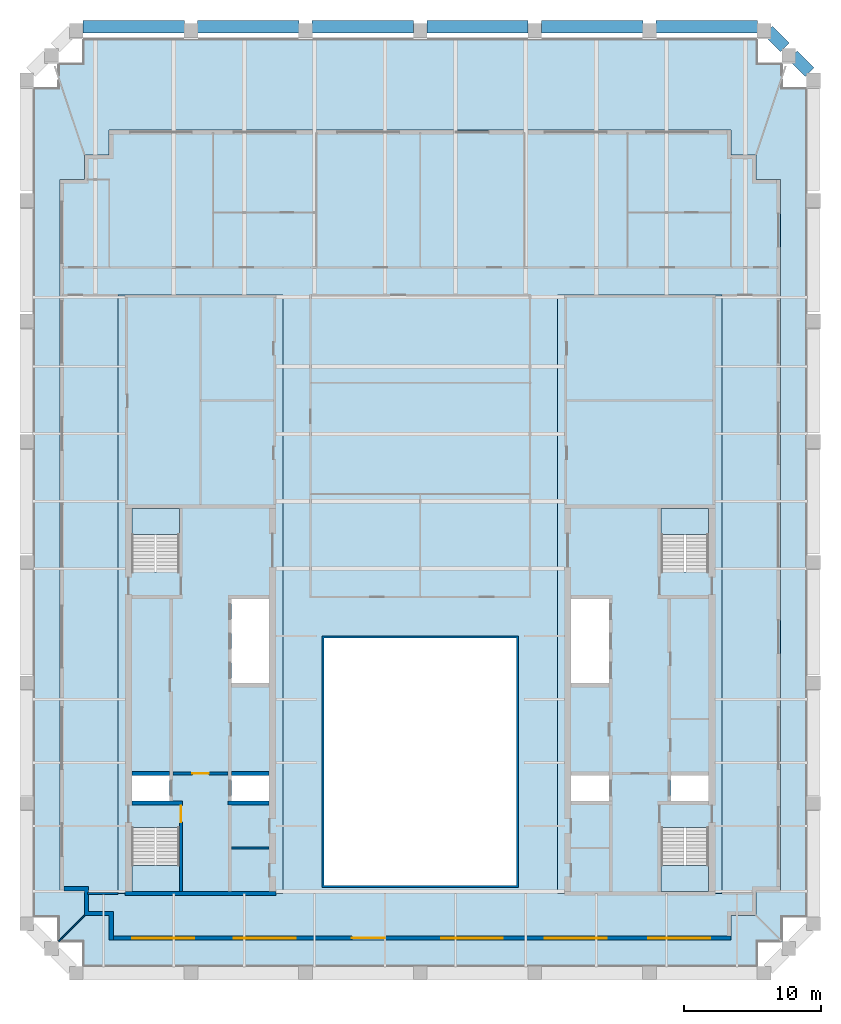
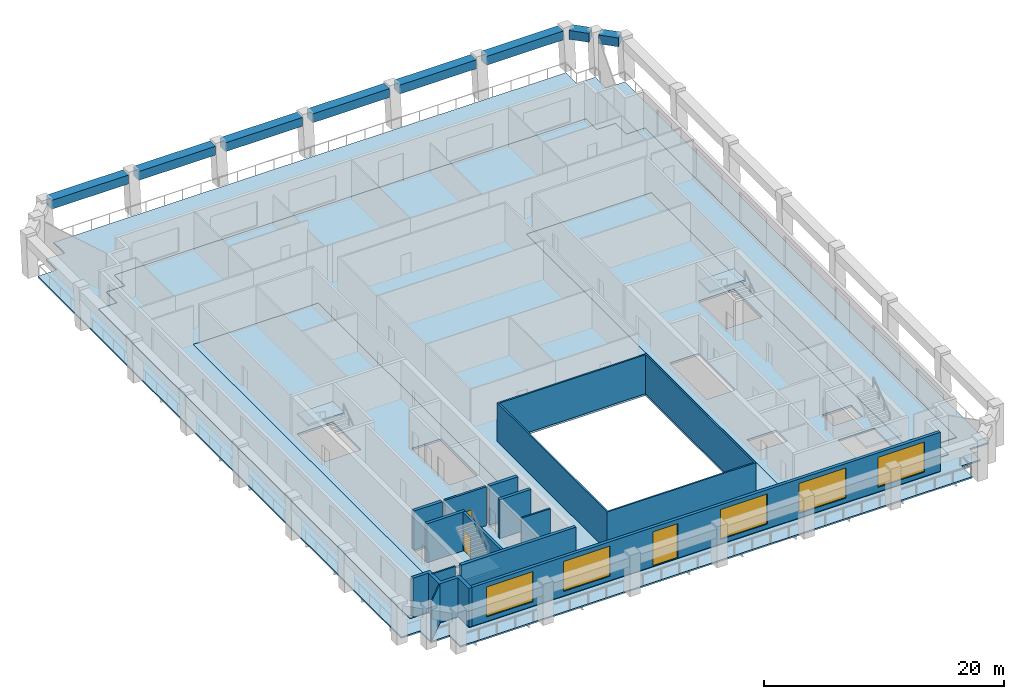
# One storey, part 2 of 9: 13 walls, 8 beams, 8 slabs, 5 windows, 3 doors, 8 openings, 4 elements without a shape of their own.
"""IFC4 building model written with IfcOpenShell, lengths in metres."""

from ifc_helpers import new_model, si_unit, direction, frame, frame_2d, origin, origin_2d, place, context, subcontext, project, spatial, polyline, rectangle, outline, extrude, material, layer, layer_set, material_profile, profile_set, type_object, element, fill, aggregate, save


model = new_model("IFC4")

# Units and contexts
model_context = context("Model", 3, precision=1e-05, world=origin(), true_north=direction((0.0, 1.0)))
body_context = subcontext(model_context, "Body", "Model", "MODEL_VIEW")
ifc_project = project(units=[si_unit("LENGTHUNIT", "METRE"), si_unit("AREAUNIT", "SQUARE_METRE"), si_unit("VOLUMEUNIT", "CUBIC_METRE"), si_unit("PLANEANGLEUNIT", "RADIAN"), si_unit("MASSUNIT", "GRAM", prefix="KILO")], contexts=[model_context])

# Site, building, storey
site_placement = place(None, origin())
site = spatial("IfcSite", under=ifc_project, at=site_placement, CompositionType="ELEMENT")
building_placement = place(site_placement, origin())
building = spatial("IfcBuilding", under=site, at=building_placement, Name="Ogive Exchange Tower", CompositionType="ELEMENT")
storey_placement = place(building_placement, frame((0.0, 0.0, 355.199951171875)))
storey = spatial("IfcBuildingStorey", under=building, at=storey_placement, Name="L78", CompositionType="ELEMENT", Elevation=355.199951171875)

# Beams
ifc_material_1 = material(Name="Precast concrete C70/85 (limestone faced)", Category="masonry")
ifc_material_profile = material_profile(ifc_material_1, rectangle(XDim=0.89990234375, YDim=0.89990234375, at=origin_2d()), Name="900 x 900")
ifc_profile_set = profile_set([ifc_material_profile], Name="Precast concrete C70/85 (limestone faced)")
beam_type = type_object("IfcBeamType", Name="Precast spandrel 900 x 900 C70/85", PredefinedType="SPANDREL", material=ifc_profile_set)
for number, where, z_axis, x_axis, name in (
    (1, (28.362060546875, 57.215087890625, 3.5), (-0.707036271462, 0.707177283881, 0.0), (-0.707177283881, -0.707036271462, 0.0), "Spandrel 16"),
    (2, (26.56201171875, 59.01513671875, 3.5), (-0.707036271462, 0.707177283881, 0.0), (-0.707177283881, -0.707036271462, 0.0), "Spandrel 17"),
):
    element("IfcBeam", number, at=place(storey_placement, frame(where, z_axis=z_axis, x_axis=x_axis)), inside=storey, type_object=beam_type, Name=name, PredefinedType="SPANDREL", context=body_context, shape_type="SweptSolid", body=[
        extrude(rectangle(XDim=0.89990234375, YDim=0.89990234375, at=origin_2d()), origin(), (0.0, 0.0, 1.0), 1.7314453125),
    ])
beam_1_placement = place(storey_placement, frame((24.570068359375, 60.52734375, 3.5), z_axis=(-1.0, 0.0, 0.0), x_axis=(0.0, -1.0, 0.0)))
element("IfcBeam", 3, at=beam_1_placement, inside=storey, type_object=beam_type, Name="Spandrel 18", PredefinedType="SPANDREL", context=body_context, shape_type="SweptSolid", body=[
    extrude(rectangle(XDim=0.89990234375, YDim=0.89990234375, at=origin_2d()), origin(), (0.0, 0.0, 1.0), 7.39013671875),
])
beam_2_placement = place(storey_placement, frame((16.219970703125, 60.52734375, 3.5), z_axis=(-1.0, 0.0, 0.0), x_axis=(0.0, -1.0, 0.0)))
element("IfcBeam", 4, at=beam_2_placement, inside=storey, type_object=beam_type, Name="Spandrel 19", PredefinedType="SPANDREL", context=body_context, shape_type="SweptSolid", body=[
    extrude(rectangle(XDim=0.89990234375, YDim=0.89990234375, at=origin_2d()), origin(), (0.0, 0.0, 1.0), 7.389892578125),
])
for number, where, z_axis, x_axis, name in (
    (5, (7.8701171875, 60.52734375, 3.5), (-1.0, 0.0, 0.0), (0.0, -1.0, 0.0), "Spandrel 20"),
    (6, (-0.47998046875, 60.52734375, 3.5), (-1.0, 0.0, 0.0), (0.0, -1.0, 0.0), "Spandrel 21"),
):
    element("IfcBeam", number, at=place(storey_placement, frame(where, z_axis=z_axis, x_axis=x_axis)), inside=storey, type_object=beam_type, Name=name, PredefinedType="SPANDREL", context=body_context, shape_type="SweptSolid", body=[
        extrude(rectangle(XDim=0.89990234375, YDim=0.89990234375, at=origin_2d()), origin(), (0.0, 0.0, 1.0), 7.39013671875),
    ])
beam_3_placement = place(storey_placement, frame((-8.830078125, 60.52734375, 3.5), z_axis=(-1.0, 0.0, 0.0), x_axis=(0.0, -1.0, 0.0)))
element("IfcBeam", 7, at=beam_3_placement, inside=storey, type_object=beam_type, Name="Spandrel 22", PredefinedType="SPANDREL", context=body_context, shape_type="SweptSolid", body=[
    extrude(rectangle(XDim=0.89990234375, YDim=0.89990234375, at=origin_2d()), origin(), (0.0, 0.0, 1.0), 7.389892578125),
])
beam_4_placement = place(storey_placement, frame((-17.179931640625, 60.52734375, 3.5), z_axis=(-1.0, 0.0, 0.0), x_axis=(0.0, -1.0, 0.0)))
element("IfcBeam", 8, at=beam_4_placement, inside=storey, type_object=beam_type, Name="Spandrel 23", PredefinedType="SPANDREL", context=body_context, shape_type="SweptSolid", body=[
    extrude(rectangle(XDim=0.89990234375, YDim=0.89990234375, at=origin_2d()), origin(), (0.0, 0.0, 1.0), 7.39013671875),
])

# Slabs
ifc_material_2 = material(Name="Concrete C50/60", Category="concrete")
ifc_layer_1 = layer(ifc_material_2, 0.199951171875)
ifc_layer_set_1 = layer_set([ifc_layer_1], Name="Composite floor slab 200")
slab_type_1 = type_object("IfcSlabType", Name="Composite floor slab 200", PredefinedType="FLOOR", material=ifc_layer_set_1)
slab_1_placement = place(storey_placement, frame((0.0, 0.0, -0.199951171875)))
element("IfcSlab", 9, at=slab_1_placement, inside=storey, type_object=slab_type_1, Name="Composite floor slab", PredefinedType="FLOOR", context=body_context, shape_type="SweptSolid", body=[
    extrude(outline(polyline([(-22.64990234375, -4.199951171875), (-24.449951171875, -4.199951171875), (-24.449951171875, -2.39990234375), (-26.25, -2.39990234375), (-26.25, 49.39990234375), (-24.449951171875, 49.39990234375), (-24.449951171875, 51.199951171875), (-22.64990234375, 51.199951171875), (-22.64990234375, 53.0), (22.64990234375, 53.0), (22.64990234375, 51.199951171875), (24.449951171875, 51.199951171875), (24.449951171875, 49.39990234375), (26.25, 49.39990234375), (26.25, -2.39990234375), (24.449951171875, -2.39990234375), (24.449951171875, -4.199951171875), (22.64990234375, -4.199951171875), (22.64990234375, -6.0), (-22.64990234375, -6.0), (-22.64990234375, -4.199951171875)]), holes=[polyline([(7.0, -2.0), (7.0, 16.0), (-7.0, 16.0), (-7.0, -2.0), (7.0, -2.0)]), polyline([(-22.0, -2.60009765625), (-10.0, -2.60009765625), (-10.0, 41.0), (-22.0, 41.0), (-22.0, -2.60009765625)]), polyline([(10.0, -2.60009765625), (22.0, -2.60009765625), (22.0, 41.0), (10.0, 41.0), (10.0, -2.60009765625)])]), origin(), (0.0, 0.0, 1.0), 0.199951171875),
])
ifc_material_3 = material(Name="Concrete C70/85", Category="concrete")
ifc_layer_2 = layer(ifc_material_3, 0.199951171875)
ifc_layer_set_2 = layer_set([ifc_layer_2], Name="Core floor slab 200")
slab_type_2 = type_object("IfcSlabType", Name="Core floor slab 200", PredefinedType="FLOOR", material=ifc_layer_set_2)
slab_2_placement = place(storey_placement, frame((0.0, 0.0, -0.199951171875)))
element("IfcSlab", 10, at=slab_2_placement, inside=storey, type_object=slab_type_2, Name="Core floor slab", PredefinedType="FLOOR", context=body_context, shape_type="SweptSolid", body=[
    extrude(outline(polyline([(-22.0, -2.60009765625), (-22.0, 41.0), (-10.0, 41.0), (-10.0, -2.60009765625), (-22.0, -2.60009765625)]), holes=[polyline([(-17.550048828125, 2.196044921875), (-21.0, 2.196044921875), (-21.0, -2.449951171875), (-17.550048828125, -2.449951171875), (-17.550048828125, 2.196044921875)]), polyline([(-21.0, 5.992919921875), (-21.0, 4.14990234375), (-18.25, 4.14990234375), (-18.25, 5.992919921875), (-21.0, 5.992919921875)]), polyline([(-13.75, 5.992919921875), (-13.75, 4.14990234375), (-11.0, 4.14990234375), (-11.0, 5.992919921875), (-13.75, 5.992919921875)]), polyline([(-11.0, 18.85009765625), (-13.75, 18.85009765625), (-13.75, 12.721435546875), (-11.0, 12.721435546875), (-11.0, 18.85009765625)]), polyline([(-21.0, 25.449951171875), (-21.0, 20.803955078125), (-17.550048828125, 20.803955078125), (-17.550048828125, 25.449951171875), (-21.0, 25.449951171875)])]), origin(), (0.0, 0.0, 1.0), 0.199951171875),
])
slab_3_placement = place(storey_placement, frame((0.0, 0.0, -0.199951171875)))
element("IfcSlab", 11, at=slab_3_placement, inside=storey, type_object=slab_type_2, Name="Core floor slab", PredefinedType="FLOOR", context=body_context, shape_type="SweptSolid", body=[
    extrude(outline(polyline([(10.0, -2.60009765625), (10.0, 41.0), (22.0, 41.0), (22.0, -2.60009765625), (10.0, -2.60009765625)]), holes=[polyline([(21.0, 2.196044921875), (17.550048828125, 2.196044921875), (17.550048828125, -2.449951171875), (21.0, -2.449951171875), (21.0, 2.196044921875)]), polyline([(11.0, 5.992919921875), (11.0, 4.14990234375), (13.75, 4.14990234375), (13.75, 5.992919921875), (11.0, 5.992919921875)]), polyline([(18.25, 5.992919921875), (18.25, 4.14990234375), (21.0, 4.14990234375), (21.0, 5.992919921875), (18.25, 5.992919921875)]), polyline([(13.75, 18.85009765625), (11.0, 18.85009765625), (11.0, 12.721435546875), (13.75, 12.721435546875), (13.75, 18.85009765625)]), polyline([(17.550048828125, 25.449951171875), (17.550048828125, 20.803955078125), (21.0, 20.803955078125), (21.0, 25.449951171875), (17.550048828125, 25.449951171875)])]), origin(), (0.0, 0.0, 1.0), 0.199951171875),
])
ifc_layer_3 = layer(ifc_material_2, 0.14990234375)
ifc_layer_set_3 = layer_set([ifc_layer_3], Name="Loggia deck 150")
slab_type_3 = type_object("IfcSlabType", Name="Loggia deck 150", PredefinedType="FLOOR", material=ifc_layer_set_3)
slab_4_placement = place(storey_placement, frame((0.0, 0.0, -0.199951171875)))
element("IfcSlab", 12, at=slab_4_placement, inside=storey, type_object=slab_type_3, Name="Loggia deck", PredefinedType="FLOOR", context=body_context, shape_type="SweptSolid", body=[
    extrude(outline(polyline([(-24.60009765625, -6.14990234375), (-26.39990234375, -6.14990234375), (-26.39990234375, -4.35009765625), (-28.199951171875, -4.35009765625), (-28.199951171875, 56.095458984375), (-26.39990234375, 56.095458984375), (-26.39990234375, 57.8955078125), (-24.60009765625, 57.8955078125), (-24.60009765625, 59.695556640625), (24.60009765625, 59.695556640625), (24.60009765625, 57.8955078125), (26.39990234375, 57.8955078125), (26.39990234375, 56.095458984375), (28.199951171875, 56.095458984375), (28.199951171875, -4.35009765625), (26.39990234375, -4.35009765625), (26.39990234375, -6.14990234375), (24.60009765625, -6.14990234375), (24.60009765625, -7.949951171875), (-24.60009765625, -7.949951171875), (-24.60009765625, -6.14990234375)]), holes=[polyline([(22.64990234375, -4.199951171875), (24.449951171875, -4.199951171875), (24.449951171875, -2.39990234375), (26.25, -2.39990234375), (26.25, 49.39990234375), (24.449951171875, 49.39990234375), (24.449951171875, 51.199951171875), (22.64990234375, 51.199951171875), (22.64990234375, 53.0), (-22.64990234375, 53.0), (-22.64990234375, 51.199951171875), (-24.449951171875, 51.199951171875), (-24.449951171875, 49.39990234375), (-26.25, 49.39990234375), (-26.25, -2.39990234375), (-24.449951171875, -2.39990234375), (-24.449951171875, -4.199951171875), (-22.64990234375, -4.199951171875), (-22.64990234375, -6.0), (22.64990234375, -6.0), (22.64990234375, -4.199951171875)])]), origin(), (0.0, 0.0, 1.0), 0.14990234375),
])

# Stair, slab
ifc_material_4 = material(Name="Concrete C40/50", Category="concrete")
stair_type = type_object("IfcStairType", Name="Exit stair 1650 wide", PredefinedType="HALF_TURN_STAIR", material=ifc_material_4)
stair_1_placement = place(storey_placement, origin())
stair_1 = element("IfcStair", 13, at=stair_1_placement, inside=storey, type_object=stair_type, Name="L78 exit stair ST1", PredefinedType="HALF_TURN_STAIR")
ifc_layer_4 = layer(ifc_material_4, 0.199951171875)
ifc_layer_set_4 = layer_set([ifc_layer_4], Name="Stair landing 200 slab")
slab_type_4 = type_object("IfcSlabType", Name="Stair landing 200 slab", PredefinedType="LANDING", material=ifc_layer_set_4)
slab_5_placement = place(storey_placement, frame((0.0, 0.0, 1.900146484375)))
slab_5 = element("IfcSlab", 14, at=slab_5_placement, type_object=slab_type_4, Name="ST1 landing 1", PredefinedType="LANDING", context=body_context, shape_type="SweptSolid", body=[
    extrude(outline(polyline([(-21.0, -0.550048828125), (-21.0, -2.449951171875), (-17.550048828125, -2.449951171875), (-17.550048828125, -0.550048828125), (-21.0, -0.550048828125)])), origin(), (0.0, 0.0, 1.0), 0.199951171875),
])
aggregate(stair_1, [slab_5])

stair_2_placement = place(storey_placement, origin())
stair_2 = element("IfcStair", 15, at=stair_2_placement, inside=storey, type_object=stair_type, Name="L78 exit stair ST2", PredefinedType="HALF_TURN_STAIR")
slab_6_placement = place(storey_placement, frame((0.0, 0.0, 1.900146484375)))
slab_6 = element("IfcSlab", 16, at=slab_6_placement, type_object=slab_type_4, Name="ST2 landing 1", PredefinedType="LANDING", context=body_context, shape_type="SweptSolid", body=[
    extrude(outline(polyline([(-17.550048828125, 23.550048828125), (-17.550048828125, 25.449951171875), (-21.0, 25.449951171875), (-21.0, 23.550048828125), (-17.550048828125, 23.550048828125)])), origin(), (0.0, 0.0, 1.0), 0.199951171875),
])
aggregate(stair_2, [slab_6])

stair_3_placement = place(storey_placement, origin())
stair_3 = element("IfcStair", 17, at=stair_3_placement, inside=storey, type_object=stair_type, Name="L78 exit stair ST3", PredefinedType="HALF_TURN_STAIR")
slab_7_placement = place(storey_placement, frame((0.0, 0.0, 1.900146484375)))
slab_7 = element("IfcSlab", 18, at=slab_7_placement, type_object=slab_type_4, Name="ST3 landing 1", PredefinedType="LANDING", context=body_context, shape_type="SweptSolid", body=[
    extrude(outline(polyline([(17.550048828125, -0.550048828125), (17.550048828125, -2.449951171875), (21.0, -2.449951171875), (21.0, -0.550048828125), (17.550048828125, -0.550048828125)])), origin(), (0.0, 0.0, 1.0), 0.199951171875),
])
aggregate(stair_3, [slab_7])

stair_4_placement = place(storey_placement, origin())
stair_4 = element("IfcStair", 19, at=stair_4_placement, inside=storey, type_object=stair_type, Name="L78 exit stair ST4", PredefinedType="HALF_TURN_STAIR")
slab_8_placement = place(storey_placement, frame((0.0, 0.0, 1.900146484375)))
slab_8 = element("IfcSlab", 20, at=slab_8_placement, type_object=slab_type_4, Name="ST4 landing 1", PredefinedType="LANDING", context=body_context, shape_type="SweptSolid", body=[
    extrude(outline(polyline([(21.0, 23.550048828125), (21.0, 25.449951171875), (17.550048828125, 25.449951171875), (17.550048828125, 23.550048828125), (21.0, 23.550048828125)])), origin(), (0.0, 0.0, 1.0), 0.199951171875),
])
aggregate(stair_4, [slab_8])

# Walls
ifc_material_5 = material(Name="Gypsum board partition")
ifc_layer_5 = layer(ifc_material_5, 0.14990234375)
ifc_layer_set_5 = layer_set([ifc_layer_5], Name="Core room partition 150 gypsum")
wall_type_1 = type_object("IfcWallType", Name="Core room partition 150 gypsum", PredefinedType="PARTITIONING", material=ifc_layer_set_5)
wall_1_placement = place(storey_placement, frame((-13.75, 0.699951171875, 0.0), z_axis=(0.0, 0.0, 1.0), x_axis=(1.0, 0.0, 0.0)))
element("IfcWall", 21, at=wall_1_placement, inside=storey, type_object=wall_type_1, Name="W south room partition", PredefinedType="PARTITIONING", context=body_context, shape_type="SweptSolid", body=[
    extrude(rectangle(XDim=2.75, YDim=0.14990234375, at=frame_2d((1.375, 0.0))), origin(), (0.0, 0.0, 1.0), 3.949951171875),
])
ifc_material_6 = material(Name="Fire partition EI 60 150")
ifc_layer_6 = layer(ifc_material_6, 0.14990234375)
ifc_layer_set_6 = layer_set([ifc_layer_6], Name="Fire partition EI 60 150")
wall_type_2 = type_object("IfcWallType", Name="Fire partition EI 60 150", PredefinedType="PARTITIONING", material=ifc_layer_set_6)
wall_2_placement = place(storey_placement, frame((-24.25, -2.60009765625, 0.0), z_axis=(0.0, 0.0, 1.0), x_axis=(1.0, 0.0, 0.0)))
element("IfcWall", 22, at=wall_2_placement, inside=storey, type_object=wall_type_2, Name="L78-PWL-002", PredefinedType="PARTITIONING", context=body_context, shape_type="SweptSolid", body=[
    extrude(rectangle(XDim=2.25, YDim=0.14990234375, at=frame_2d((1.125, 0.0))), origin(), (0.0, 0.0, 1.0), 3.949951171875),
])
ifc_material_7 = material(Name="Fire-resisting glass in steel frame", Category="steel")
ifc_layer_7 = layer(ifc_material_7, 0.14990234375)
ifc_layer_set_7 = layer_set([ifc_layer_7], Name="Fire-rated glazed wall 150")
wall_type_3 = type_object("IfcWallType", Name="Fire-rated glazed wall 150", PredefinedType="STANDARD", material=ifc_layer_set_7)
wall_3_placement = place(storey_placement, origin())
element("IfcWall", 23, at=wall_3_placement, inside=storey, type_object=wall_type_3, Name="Nave enclosure wall", PredefinedType="STANDARD", context=body_context, shape_type="SweptSolid", body=[
    extrude(outline(polyline([(-7.14990234375, -2.14990234375), (7.14990234375, -2.14990234375), (7.14990234375, 16.14990234375), (-7.14990234375, 16.14990234375), (-7.14990234375, -2.14990234375)]), holes=[polyline([(-7.0, -2.0), (-7.0, 16.0), (7.0, 16.0), (7.0, -2.0), (-7.0, -2.0)])]), origin(), (0.0, 0.0, 1.0), 3.949951171875),
])

# Wall, openings, door, windows
ifc_material_8 = material(Name="Precast concrete C40/50", Category="concrete")
ifc_layer_8 = layer(ifc_material_8, 0.300048828125)
ifc_layer_set_8 = layer_set([ifc_layer_8], Name="Limestone-faced wall 300")
wall_type_4 = type_object("IfcWallType", Name="Limestone-faced wall 300", PredefinedType="STANDARD", material=ifc_layer_set_8)
wall_4_placement = place(storey_placement, frame((-22.35009765625, -5.85009765625, 0.0), z_axis=(0.0, 0.0, 1.0), x_axis=(1.0, 0.0, 0.0)))
wall_4 = element("IfcWall", 24, at=wall_4_placement, inside=storey, type_object=wall_type_4, Name="External wall S1", PredefinedType="STANDARD", context=body_context, shape_type="SweptSolid", body=[
    extrude(rectangle(XDim=45.0, YDim=0.300048828125, at=frame_2d((22.5, 0.0))), origin(), (0.0, 0.0, 1.0), 3.949951171875),
])
opening_1_placement = place(wall_4_placement, frame((1.375, 0.0, 0.449951171875)))
opening_1 = element("IfcOpeningElement", 25, at=opening_1_placement, cuts=wall_4, Name="Opening W1", PredefinedType="OPENING", context=body_context, shape_type="SweptSolid", body=[
    extrude(rectangle(XDim=4.5, YDim=3.050048828125, at=frame_2d((2.25, 1.52490234375))), frame((0.0, 0.159912109375, 0.0), z_axis=(0.0, -1.0, 0.0), x_axis=(1.0, 0.0, 0.0)), (0.0, 0.0, 1.0), 0.320068359375),
])
opening_2_placement = place(wall_4_placement, frame((8.77490234375, 0.0, 0.449951171875)))
opening_2 = element("IfcOpeningElement", 26, at=opening_2_placement, cuts=wall_4, Name="Opening W1", PredefinedType="OPENING", context=body_context, shape_type="SweptSolid", body=[
    extrude(rectangle(XDim=4.5, YDim=3.050048828125, at=frame_2d((2.25, 1.52490234375))), frame((0.0, 0.159912109375, 0.0), z_axis=(0.0, -1.0, 0.0), x_axis=(1.0, 0.0, 0.0)), (0.0, 0.0, 1.0), 0.320068359375),
])
opening_3_placement = place(wall_4_placement, frame((17.375, 0.0, 0.0)))
opening_3 = element("IfcOpeningElement", 27, at=opening_3_placement, cuts=wall_4, Name="Opening D1", PredefinedType="OPENING", context=body_context, shape_type="SweptSolid", body=[
    extrude(rectangle(XDim=2.39990234375, YDim=3.5, at=frame_2d((1.199951171875, 1.75))), frame((0.0, 0.159912109375, 0.0), z_axis=(0.0, -1.0, 0.0), x_axis=(1.0, 0.0, 0.0)), (0.0, 0.0, 1.0), 0.320068359375),
])
opening_4_placement = place(wall_4_placement, frame((23.875, 0.0, 0.449951171875)))
opening_4 = element("IfcOpeningElement", 28, at=opening_4_placement, cuts=wall_4, Name="Opening W1", PredefinedType="OPENING", context=body_context, shape_type="SweptSolid", body=[
    extrude(rectangle(XDim=4.5, YDim=3.050048828125, at=frame_2d((2.25, 1.52490234375))), frame((0.0, 0.159912109375, 0.0), z_axis=(0.0, -1.0, 0.0), x_axis=(1.0, 0.0, 0.0)), (0.0, 0.0, 1.0), 0.320068359375),
])
opening_5_placement = place(wall_4_placement, frame((31.425048828125, 0.0, 0.449951171875)))
opening_5 = element("IfcOpeningElement", 29, at=opening_5_placement, cuts=wall_4, Name="Opening W1", PredefinedType="OPENING", context=body_context, shape_type="SweptSolid", body=[
    extrude(rectangle(XDim=4.5, YDim=3.050048828125, at=frame_2d((2.25, 1.52490234375))), frame((0.0, 0.159912109375, 0.0), z_axis=(0.0, -1.0, 0.0), x_axis=(1.0, 0.0, 0.0)), (0.0, 0.0, 1.0), 0.320068359375),
])
opening_6_placement = place(wall_4_placement, frame((38.97509765625, 0.0, 0.449951171875)))
opening_6 = element("IfcOpeningElement", 30, at=opening_6_placement, cuts=wall_4, Name="Opening W1", PredefinedType="OPENING", context=body_context, shape_type="SweptSolid", body=[
    extrude(rectangle(XDim=4.5, YDim=3.050048828125, at=frame_2d((2.25, 1.52490234375))), frame((0.0, 0.159912109375, 0.0), z_axis=(0.0, -1.0, 0.0), x_axis=(1.0, 0.0, 0.0)), (0.0, 0.0, 1.0), 0.320068359375),
])
ifc_material_9 = material(Name="Clear glass in bronze frame", Category="glass")
door_type_1 = type_object("IfcDoorType", Name="Sliding loggia door 2400 x 3500", OperationType="DOUBLE_DOOR_SLIDING", PredefinedType="DOOR", material=ifc_material_9)
door_1_placement = place(opening_3_placement, origin())
door_1 = element("IfcDoor", 31, at=door_1_placement, inside=storey, type_object=door_type_1, Name="Loggia door S02", OperationType="DOUBLE_DOOR_SLIDING", OverallHeight=3.5, OverallWidth=2.39990234375, PredefinedType="DOOR", context=body_context, shape_type="SweptSolid", body=[
    extrude(rectangle(XDim=2.39990234375, YDim=3.5, at=frame_2d((1.199951171875, 1.75))), frame((0.0, 0.02490234375, 0.0), z_axis=(0.0, -1.0, 0.0), x_axis=(1.0, 0.0, 0.0)), (0.0, 0.0, 1.0), 0.050048828125),
])
fill(opening_3, door_1)
window_type = type_object("IfcWindowType", Name="Twin lancet window 4500 x 3050", PartitioningType="DOUBLE_PANEL_VERTICAL", PredefinedType="WINDOW", material=ifc_material_9)
window_1_placement = place(opening_1_placement, origin())
window_1 = element("IfcWindow", 32, at=window_1_placement, inside=storey, type_object=window_type, Name="Window S00", OverallHeight=3.050048828125, OverallWidth=4.5, PartitioningType="DOUBLE_PANEL_VERTICAL", PredefinedType="WINDOW", context=body_context, shape_type="SweptSolid", body=[
    extrude(rectangle(XDim=4.5, YDim=3.050048828125, at=frame_2d((2.25, 1.52490234375))), frame((0.0, 0.030029296875, 0.0), z_axis=(0.0, -1.0, 0.0), x_axis=(1.0, 0.0, 0.0)), (0.0, 0.0, 1.0), 0.06005859375),
])
fill(opening_1, window_1)
window_2_placement = place(opening_2_placement, origin())
window_2 = element("IfcWindow", 33, at=window_2_placement, inside=storey, type_object=window_type, Name="Window S01", OverallHeight=3.050048828125, OverallWidth=4.5, PartitioningType="DOUBLE_PANEL_VERTICAL", PredefinedType="WINDOW", context=body_context, shape_type="SweptSolid", body=[
    extrude(rectangle(XDim=4.5, YDim=3.050048828125, at=frame_2d((2.25, 1.52490234375))), frame((0.0, 0.030029296875, 0.0), z_axis=(0.0, -1.0, 0.0), x_axis=(1.0, 0.0, 0.0)), (0.0, 0.0, 1.0), 0.06005859375),
])
fill(opening_2, window_2)
window_3_placement = place(opening_4_placement, origin())
window_3 = element("IfcWindow", 34, at=window_3_placement, inside=storey, type_object=window_type, Name="Window S03", OverallHeight=3.050048828125, OverallWidth=4.5, PartitioningType="DOUBLE_PANEL_VERTICAL", PredefinedType="WINDOW", context=body_context, shape_type="SweptSolid", body=[
    extrude(rectangle(XDim=4.5, YDim=3.050048828125, at=frame_2d((2.25, 1.52490234375))), frame((0.0, 0.030029296875, 0.0), z_axis=(0.0, -1.0, 0.0), x_axis=(1.0, 0.0, 0.0)), (0.0, 0.0, 1.0), 0.06005859375),
])
fill(opening_4, window_3)
window_4_placement = place(opening_5_placement, origin())
window_4 = element("IfcWindow", 35, at=window_4_placement, inside=storey, type_object=window_type, Name="Window S04", OverallHeight=3.050048828125, OverallWidth=4.5, PartitioningType="DOUBLE_PANEL_VERTICAL", PredefinedType="WINDOW", context=body_context, shape_type="SweptSolid", body=[
    extrude(rectangle(XDim=4.5, YDim=3.050048828125, at=frame_2d((2.25, 1.52490234375))), frame((0.0, 0.030029296875, 0.0), z_axis=(0.0, -1.0, 0.0), x_axis=(1.0, 0.0, 0.0)), (0.0, 0.0, 1.0), 0.06005859375),
])
fill(opening_5, window_4)
window_5_placement = place(opening_6_placement, origin())
window_5 = element("IfcWindow", 36, at=window_5_placement, inside=storey, type_object=window_type, Name="Window S05", OverallHeight=3.050048828125, OverallWidth=4.5, PartitioningType="DOUBLE_PANEL_VERTICAL", PredefinedType="WINDOW", context=body_context, shape_type="SweptSolid", body=[
    extrude(rectangle(XDim=4.5, YDim=3.050048828125, at=frame_2d((2.25, 1.52490234375))), frame((0.0, 0.030029296875, 0.0), z_axis=(0.0, -1.0, 0.0), x_axis=(1.0, 0.0, 0.0)), (0.0, 0.0, 1.0), 0.06005859375),
])
fill(opening_6, window_5)

# Walls
wall_5_placement = place(storey_placement, origin())
element("IfcWall", 37, at=wall_5_placement, inside=storey, type_object=wall_type_4, Name="External corner wall C4", PredefinedType="STANDARD", context=body_context, shape_type="SweptSolid", body=[
    extrude(outline(polyline([(-22.64990234375, -4.199951171875), (-24.449951171875, -4.199951171875), (-24.449951171875, -2.39990234375), (-25.949951171875, -2.39990234375), (-25.949951171875, -2.10009765625), (-24.14990234375, -2.10009765625), (-24.14990234375, -3.89990234375), (-22.35009765625, -3.89990234375), (-22.35009765625, -6.0), (-22.64990234375, -6.0), (-22.64990234375, -4.199951171875)])), origin(), (0.0, 0.0, 1.0), 3.949951171875),
])
ifc_material_10 = material(Name="Laminated safety glass in steel frame", Category="steel")
ifc_layer_9 = layer(ifc_material_10, 0.10009765625)
ifc_layer_set_9 = layer_set([ifc_layer_9], Name="Loggia end screen 100")
wall_type_5 = type_object("IfcWallType", Name="Loggia end screen 100", PredefinedType="STANDARD", material=ifc_layer_set_9)
wall_6_placement = place(storey_placement, frame((-24.449951171875, -4.199951171875, -0.050048828125), z_axis=(0.0, 0.0, 1.0), x_axis=(-0.707106781187, -0.707106781187, 0.0)))
element("IfcWall", 38, at=wall_6_placement, inside=storey, type_object=wall_type_5, Name="Loggia end screen C4", PredefinedType="STANDARD", context=body_context, shape_type="SweptSolid", body=[
    extrude(rectangle(XDim=2.667236328125, YDim=0.10009765625, at=frame_2d((1.33349609375, 0.0))), origin(), (0.0, 0.0, 1.0), 4.0),
])

# Wall, opening, door
ifc_layer_10 = layer(ifc_material_3, 0.199951171875)
ifc_layer_set_10 = layer_set([ifc_layer_10], Name="RC core wall 200 C70/85")
wall_type_6 = type_object("IfcWallType", Name="RC core wall 200 C70/85", PredefinedType="SHEAR", material=ifc_layer_set_10)
wall_7_placement = place(storey_placement, frame((-18.0, 6.142822265625, 0.0), z_axis=(0.0, 0.0, 1.0), x_axis=(1.0, 0.0, 0.0)))
wall_7 = element("IfcWall", 39, at=wall_7_placement, inside=storey, type_object=wall_type_6, Name="W firefighting lobby wall", PredefinedType="SHEAR", context=body_context, shape_type="SweptSolid", body=[
    extrude(rectangle(XDim=4.0, YDim=0.199951171875, at=frame_2d((2.0, 0.0))), origin(), (0.0, 0.0, 1.0), 3.949951171875),
])
opening_7_placement = place(wall_7_placement, frame((1.39990234375, 0.0, 0.0)))
opening_7 = element("IfcOpeningElement", 40, at=opening_7_placement, cuts=wall_7, Name="Opening L78-C08", PredefinedType="OPENING", context=body_context, shape_type="SweptSolid", body=[
    extrude(rectangle(XDim=1.199951171875, YDim=2.10009765625, at=frame_2d((0.60009765625, 1.050048828125))), frame((0.0, 0.10986328125, 0.0), z_axis=(0.0, -1.0, 0.0), x_axis=(1.0, 0.0, 0.0)), (0.0, 0.0, 1.0), 0.219970703125),
])
ifc_material_11 = material(Name="Steel fire door", Category="steel")
door_type_2 = type_object("IfcDoorType", Name="Firefighting lobby door FD60 1200 x 2100", OperationType="NOTDEFINED", PredefinedType="DOOR", material=ifc_material_11)
door_2_placement = place(opening_7_placement, frame((1.199951171875, 0.0, 0.0), z_axis=(0.0, 0.0, 1.0), x_axis=(-1.0, 0.0, 0.0)))
door_2 = element("IfcDoor", 41, at=door_2_placement, inside=storey, type_object=door_type_2, Name="Firefighting lobby door", ObjectType="CD3", OperationType="SINGLE_SWING_LEFT", OverallHeight=2.10009765625, OverallWidth=1.199951171875, PredefinedType="DOOR", context=body_context, shape_type="SweptSolid", body=[
    extrude(rectangle(XDim=1.199951171875, YDim=2.10009765625, at=frame_2d((0.60009765625, 1.050048828125))), frame((0.0, 0.02490234375, 0.0), z_axis=(0.0, -1.0, 0.0), x_axis=(1.0, 0.0, 0.0)), (0.0, 0.0, 1.0), 0.050048828125),
])
fill(opening_7, door_2)

ifc_layer_11 = layer(ifc_material_3, 0.25)
ifc_layer_set_11 = layer_set([ifc_layer_11], Name="RC core wall 250 C70/85")
wall_type_7 = type_object("IfcWallType", Name="RC core wall 250 C70/85", PredefinedType="SHEAR", material=ifc_layer_set_11)
wall_8_placement = place(storey_placement, frame((-17.425048828125, -2.449951171875, 0.0), z_axis=(0.0, 0.0, 1.0), x_axis=(0.0, 1.0, 0.0)))
wall_8 = element("IfcWall", 42, at=wall_8_placement, inside=storey, type_object=wall_type_7, Name="W stair S front wall", PredefinedType="SHEAR", context=body_context, shape_type="SweptSolid", body=[
    extrude(rectangle(XDim=6.300048828125, YDim=0.25, at=frame_2d((3.14990234375, 0.0))), origin(), (0.0, 0.0, 1.0), 3.949951171875),
])
opening_8_placement = place(wall_8_placement, frame((5.050048828125, 0.0, 0.0)))
opening_8 = element("IfcOpeningElement", 43, at=opening_8_placement, cuts=wall_8, Name="Opening L78-C10", PredefinedType="OPENING", context=body_context, shape_type="SweptSolid", body=[
    extrude(rectangle(XDim=1.199951171875, YDim=2.10009765625, at=frame_2d((0.60009765625, 1.050048828125))), frame((0.0, 0.135009765625, 0.0), z_axis=(0.0, -1.0, 0.0), x_axis=(1.0, 0.0, 0.0)), (0.0, 0.0, 1.0), 0.27001953125),
])
door_type_3 = type_object("IfcDoorType", Name="Stair door FD90 1200 x 2100", OperationType="NOTDEFINED", PredefinedType="DOOR", material=ifc_material_11)
door_3_placement = place(opening_8_placement, origin())
door_3 = element("IfcDoor", 44, at=door_3_placement, inside=storey, type_object=door_type_3, Name="Stair door", ObjectType="CD5", OperationType="SINGLE_SWING_LEFT", OverallHeight=2.10009765625, OverallWidth=1.199951171875, PredefinedType="DOOR", context=body_context, shape_type="SweptSolid", body=[
    extrude(rectangle(XDim=1.199951171875, YDim=2.10009765625, at=frame_2d((0.60009765625, 1.050048828125))), frame((0.0, 0.02490234375, 0.0), z_axis=(0.0, -1.0, 0.0), x_axis=(1.0, 0.0, 0.0)), (0.0, 0.0, 1.0), 0.050048828125),
])
fill(opening_8, door_3)

# Walls
ifc_layer_12 = layer(ifc_material_3, 0.300048828125)
ifc_layer_set_12 = layer_set([ifc_layer_12], Name="RC core wall 300 C70/85")
wall_type_8 = type_object("IfcWallType", Name="RC core wall 300 C70/85", PredefinedType="SHEAR", material=ifc_layer_set_12)
wall_9_placement = place(storey_placement, frame((-21.5, -2.60009765625, 0.0), z_axis=(0.0, 0.0, 1.0), x_axis=(1.0, 0.0, 0.0)))
element("IfcWall", 45, at=wall_9_placement, inside=storey, type_object=wall_type_8, Name="W south end wall", PredefinedType="SHEAR", context=body_context, shape_type="SweptSolid", body=[
    extrude(rectangle(XDim=11.0, YDim=0.300048828125, at=frame_2d((5.5, 0.0))), origin(), (0.0, 0.0, 1.0), 3.949951171875),
])
wall_10_placement = place(storey_placement, frame((-21.0, 4.0, 0.0), z_axis=(0.0, 0.0, 1.0), x_axis=(1.0, 0.0, 0.0)))
element("IfcWall", 46, at=wall_10_placement, inside=storey, type_object=wall_type_8, Name="W stair S north wall", PredefinedType="SHEAR", context=body_context, shape_type="SweptSolid", body=[
    extrude(rectangle(XDim=3.699951171875, YDim=0.300048828125, at=frame_2d((1.85009765625, 0.0))), origin(), (0.0, 0.0, 1.0), 3.949951171875),
])
wall_11_placement = place(storey_placement, frame((-21.0, 6.142822265625, 0.0), z_axis=(0.0, 0.0, 1.0), x_axis=(1.0, 0.0, 0.0)))
element("IfcWall", 47, at=wall_11_placement, inside=storey, type_object=wall_type_8, Name="W row A divider 1", PredefinedType="SHEAR", context=body_context, shape_type="SweptSolid", body=[
    extrude(rectangle(XDim=2.75, YDim=0.300048828125, at=frame_2d((1.375, 0.0))), origin(), (0.0, 0.0, 1.0), 3.949951171875),
])
wall_12_placement = place(storey_placement, frame((-14.0, 4.0, 0.0), z_axis=(0.0, 0.0, 1.0), x_axis=(1.0, 0.0, 0.0)))
element("IfcWall", 48, at=wall_12_placement, inside=storey, type_object=wall_type_8, Name="W row B divider 0", PredefinedType="SHEAR", context=body_context, shape_type="SweptSolid", body=[
    extrude(rectangle(XDim=3.0, YDim=0.300048828125, at=frame_2d((1.5, 0.0))), origin(), (0.0, 0.0, 1.0), 3.949951171875),
])
wall_13_placement = place(storey_placement, frame((-13.75, 6.142822265625, 0.0), z_axis=(0.0, 0.0, 1.0), x_axis=(1.0, 0.0, 0.0)))
element("IfcWall", 49, at=wall_13_placement, inside=storey, type_object=wall_type_8, Name="W row B divider 1", PredefinedType="SHEAR", context=body_context, shape_type="SweptSolid", body=[
    extrude(rectangle(XDim=2.75, YDim=0.300048828125, at=frame_2d((1.375, 0.0))), origin(), (0.0, 0.0, 1.0), 3.949951171875),
])

save(model, "model.ifc")
